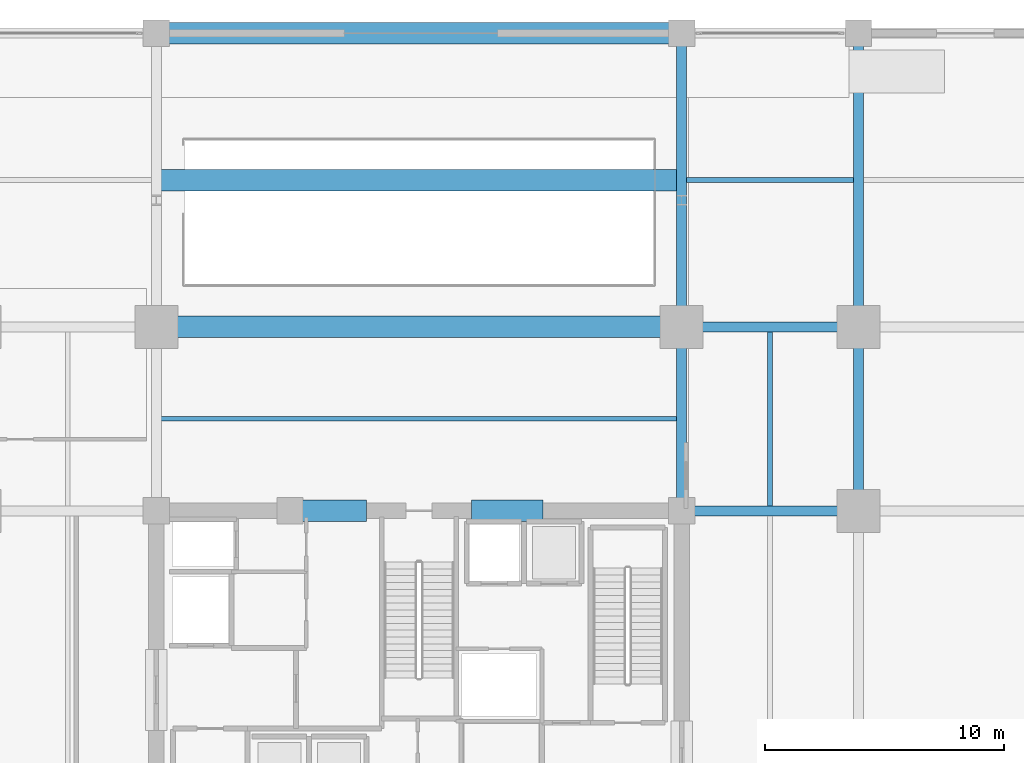
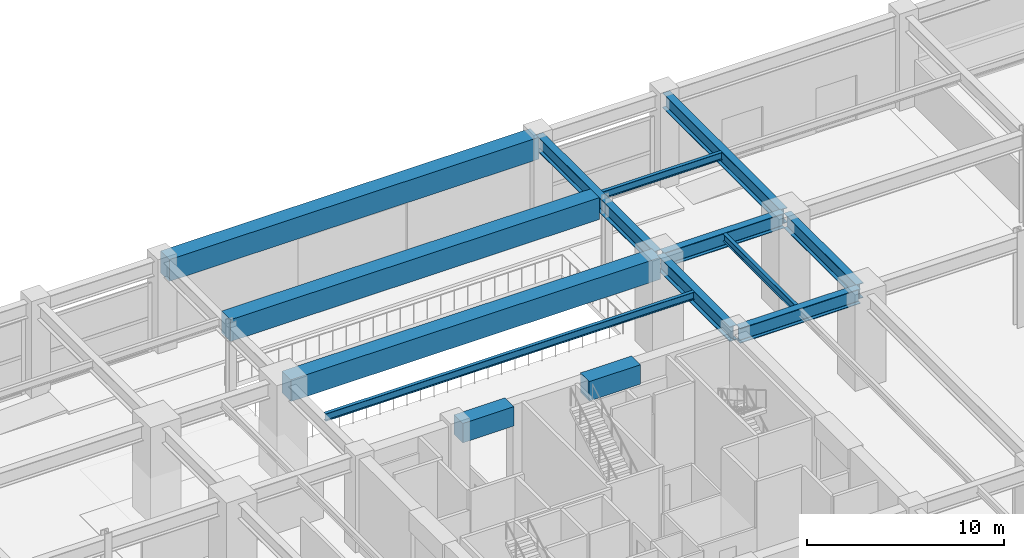
# One storey, part 18 of 41: 14 beams.
"""IFC4 building model written with IfcOpenShell, lengths in metres."""

from ifc_helpers import new_model, si_unit, direction, frame, origin, origin_2d, place, context, subcontext, project, spatial, rectangle, i_section, extrude, material, material_profile, profile_set, type_object, element, save


model = new_model("IFC4")

# Units and contexts
model_context = context("Model", 3, precision=1e-05, world=origin(), true_north=direction((0.0, 1.0)))
body_context = subcontext(model_context, "Body", "Model", "MODEL_VIEW")
ifc_project = project(units=[si_unit("LENGTHUNIT", "METRE"), si_unit("AREAUNIT", "SQUARE_METRE"), si_unit("VOLUMEUNIT", "CUBIC_METRE"), si_unit("PLANEANGLEUNIT", "RADIAN"), si_unit("MASSUNIT", "GRAM", prefix="KILO")], contexts=[model_context])

# Site, building, storey
site_placement = place(None, origin())
site = spatial("IfcSite", under=ifc_project, at=site_placement, CompositionType="ELEMENT")
building_placement = place(site_placement, origin())
building = spatial("IfcBuilding", under=site, at=building_placement, Name="Kovane Verandah Tower", CompositionType="ELEMENT")
storey_placement = place(building_placement, origin())
storey = spatial("IfcBuildingStorey", under=building, at=storey_placement, Name="L00", CompositionType="ELEMENT", Elevation=0.0)

# Beams
ifc_material_1 = material(Name="Concrete C80/95", Category="concrete")
ifc_material_profile_1 = material_profile(ifc_material_1, rectangle(XDim=0.89990234375, YDim=1.199951171875, at=origin_2d()), Name="RCB900x1200")
ifc_profile_set_1 = profile_set([ifc_material_profile_1], Name="Concrete C80/95")
beam_type_1 = type_object("IfcBeamType", Name="BM-LINTEL-900x1200", PredefinedType="LINTEL", material=ifc_profile_set_1)
for number, where, z_axis, x_axis, name in (
    (1, (34.800048828125, 36.5, 5.1201171875), (1.0, 0.0, 0.0), (0.0, 1.0, 0.0), "L00 Core Coupling Lintel CL-N1"),
    (2, (42.199951171875, 36.5, 5.1201171875), (1.0, 0.0, 0.0), (0.0, 1.0, 0.0), "L00 Core Coupling Lintel CL-N2"),
):
    element("IfcBeam", number, at=place(storey_placement, frame(where, z_axis=z_axis, x_axis=x_axis)), inside=storey, type_object=beam_type_1, Name=name, PredefinedType="LINTEL", context=body_context, shape_type="SweptSolid", body=[
        extrude(rectangle(XDim=0.89990234375, YDim=1.199951171875, at=origin_2d()), origin(), (0.0, 0.0, 1.0), 3.0),
    ])
ifc_material_profile_2 = material_profile(ifc_material_1, rectangle(XDim=0.89990234375, YDim=1.35009765625, at=origin_2d()), Name="RCB900x1350")
ifc_profile_set_2 = profile_set([ifc_material_profile_2], Name="Concrete C80/95")
beam_type_2 = type_object("IfcBeamType", Name="BM-TR-900x1350", PredefinedType="BEAM", material=ifc_profile_set_2)
for number, where, z_axis, x_axis, name in (
    (3, (29.179931640625, 44.199951171875, 5.044921875), (1.0, 0.0, 0.0), (0.0, 1.0, 0.0), "L00 Primary Tower Girder G-RN2"),
    (4, (29.179931640625, 56.5, 5.02490234375), (1.0, 0.0, 0.0), (0.0, 1.0, 0.0), "L00 Podium Grid Girder X27"),
):
    element("IfcBeam", number, at=place(storey_placement, frame(where, z_axis=z_axis, x_axis=x_axis)), inside=storey, type_object=beam_type_2, Name=name, PredefinedType="BEAM", context=body_context, shape_type="SweptSolid", body=[
        extrude(rectangle(XDim=0.89990234375, YDim=1.35009765625, at=origin_2d()), origin(), (0.0, 0.0, 1.0), 21.64013671875),
    ])
beam_1_placement = place(storey_placement, frame((29.208251953125, 50.35009765625, 5.02490234375), z_axis=(1.0, 0.0, 0.0), x_axis=(0.0, 1.0, 0.0)))
element("IfcBeam", 5, at=beam_1_placement, inside=storey, type_object=beam_type_2, Name="L00 Podium Secondary Joist 11", PredefinedType="BEAM", context=body_context, shape_type="SweptSolid", body=[
    extrude(rectangle(XDim=0.89990234375, YDim=1.35009765625, at=origin_2d()), origin(), (0.0, 0.0, 1.0), 21.58349609375),
])
ifc_material_2 = material(Name="Steel S460", Category="steel")
ifc_material_profile_3 = material_profile(ifc_material_2, i_section(OverallWidth=0.42041015625, OverallDepth=0.9208984375, WebThickness=0.021484375, FlangeThickness=0.03662109375, FilletRadius=0.024169921875, at=origin_2d()), Name="UB914x419x388")
ifc_profile_set_3 = profile_set([ifc_material_profile_3], Name="Steel S460")
beam_type_3 = type_object("IfcBeamType", Name="BM-UB914x388", PredefinedType="BEAM", material=ifc_profile_set_3)
beam_2_placement = place(storey_placement, frame((51.179931640625, 44.199951171875, 5.259521484375), z_axis=(1.0, 0.0, 0.0), x_axis=(0.0, 1.0, 0.0)))
element("IfcBeam", 6, at=beam_2_placement, inside=storey, type_object=beam_type_3, Name="L00 Primary Tower Girder G-RN3", PredefinedType="BEAM", context=body_context, shape_type="SweptSolid", body=[
    extrude(i_section(OverallWidth=0.42041015625, OverallDepth=0.9208984375, WebThickness=0.021484375, FlangeThickness=0.03662109375, FilletRadius=0.024169921875, at=origin_2d()), origin(), (0.0, 0.0, 1.0), 7.0400390625),
])
beam_3_placement = place(storey_placement, frame((58.39990234375, 36.679931640625, 5.259521484375), z_axis=(0.0, 1.0, 0.0), x_axis=(-1.0, 0.0, 0.0)))
element("IfcBeam", 7, at=beam_3_placement, inside=storey, type_object=beam_type_3, Name="L00 Primary Tower Girder G-RE3", PredefinedType="BEAM", context=body_context, shape_type="SweptSolid", body=[
    extrude(i_section(OverallWidth=0.42041015625, OverallDepth=0.9208984375, WebThickness=0.021484375, FlangeThickness=0.03662109375, FilletRadius=0.024169921875, at=origin_2d()), origin(), (0.0, 0.0, 1.0), 7.340087890625),
])
beam_4_placement = place(storey_placement, frame((51.179931640625, 36.5, 5.259521484375), z_axis=(1.0, 0.0, 0.0), x_axis=(0.0, 1.0, 0.0)))
element("IfcBeam", 8, at=beam_4_placement, inside=storey, type_object=beam_type_3, Name="L00 Primary Tower Girder G-E2", PredefinedType="BEAM", context=body_context, shape_type="SweptSolid", body=[
    extrude(i_section(OverallWidth=0.42041015625, OverallDepth=0.9208984375, WebThickness=0.021484375, FlangeThickness=0.03662109375, FilletRadius=0.024169921875, at=origin_2d()), origin(), (0.0, 0.0, 1.0), 7.0400390625),
])
beam_5_placement = place(storey_placement, frame((51.0, 36.679931640625, 5.259521484375), z_axis=(0.0, 1.0, 0.0), x_axis=(-1.0, 0.0, 0.0)))
element("IfcBeam", 9, at=beam_5_placement, inside=storey, type_object=beam_type_3, Name="L00 Primary Tower Girder G-N2", PredefinedType="BEAM", context=body_context, shape_type="SweptSolid", body=[
    extrude(i_section(OverallWidth=0.42041015625, OverallDepth=0.9208984375, WebThickness=0.021484375, FlangeThickness=0.03662109375, FilletRadius=0.024169921875, at=origin_2d()), origin(), (0.0, 0.0, 1.0), 7.340087890625),
])
for number, where, z_axis, x_axis, name in (
    (10, (51.0, 44.3798828125, 5.239501953125), (0.0, 1.0, 0.0), (-1.0, 0.0, 0.0), "L00 Podium Grid Girder Y46"),
    (11, (58.39990234375, 44.3798828125, 5.239501953125), (0.0, 1.0, 0.0), (-1.0, 0.0, 0.0), "L00 Podium Grid Girder Y48"),
):
    element("IfcBeam", number, at=place(storey_placement, frame(where, z_axis=z_axis, x_axis=x_axis)), inside=storey, type_object=beam_type_3, Name=name, PredefinedType="BEAM", context=body_context, shape_type="SweptSolid", body=[
        extrude(i_section(OverallWidth=0.42041015625, OverallDepth=0.9208984375, WebThickness=0.021484375, FlangeThickness=0.03662109375, FilletRadius=0.024169921875, at=origin_2d()), origin(), (0.0, 0.0, 1.0), 11.940185546875),
    ])
ifc_material_3 = material(Name="Steel S355", Category="steel")
ifc_material_profile_4 = material_profile(ifc_material_3, i_section(OverallWidth=0.19287109375, OverallDepth=0.46728515625, WebThickness=0.011474609375, FlangeThickness=0.01953125, FilletRadius=0.01025390625, at=origin_2d()), Name="UB457x191x98")
ifc_profile_set_4 = profile_set([ifc_material_profile_4], Name="Steel S355")
beam_type_4 = type_object("IfcBeamType", Name="JST-UB457x98", PredefinedType="JOIST", material=ifc_profile_set_4)
beam_6_placement = place(storey_placement, frame((29.208251953125, 40.35009765625, 5.486328125), z_axis=(1.0, 0.0, 0.0), x_axis=(0.0, 1.0, 0.0)))
element("IfcBeam", 12, at=beam_6_placement, inside=storey, type_object=beam_type_4, Name="L00 Secondary Composite Joist J-N1", PredefinedType="JOIST", context=body_context, shape_type="SweptSolid", body=[
    extrude(i_section(OverallWidth=0.19287109375, OverallDepth=0.46728515625, WebThickness=0.011474609375, FlangeThickness=0.01953125, FilletRadius=0.01025390625, at=origin_2d()), origin(), (0.0, 0.0, 1.0), 21.58349609375),
])
beam_7_placement = place(storey_placement, frame((54.699951171875, 36.708251953125, 5.486328125), z_axis=(0.0, 1.0, 0.0), x_axis=(-1.0, 0.0, 0.0)))
element("IfcBeam", 13, at=beam_7_placement, inside=storey, type_object=beam_type_4, Name="L00 Secondary Composite Joist J-NE1", PredefinedType="JOIST", context=body_context, shape_type="SweptSolid", body=[
    extrude(i_section(OverallWidth=0.19287109375, OverallDepth=0.46728515625, WebThickness=0.011474609375, FlangeThickness=0.01953125, FilletRadius=0.01025390625, at=origin_2d()), origin(), (0.0, 0.0, 1.0), 7.283447265625),
])
beam_8_placement = place(storey_placement, frame((51.208251953125, 50.35009765625, 5.46630859375), z_axis=(1.0, 0.0, 0.0), x_axis=(0.0, 1.0, 0.0)))
element("IfcBeam", 14, at=beam_8_placement, inside=storey, type_object=beam_type_4, Name="L00 Podium Secondary Joist 12", PredefinedType="JOIST", context=body_context, shape_type="SweptSolid", body=[
    extrude(i_section(OverallWidth=0.19287109375, OverallDepth=0.46728515625, WebThickness=0.011474609375, FlangeThickness=0.01953125, FilletRadius=0.01025390625, at=origin_2d()), origin(), (0.0, 0.0, 1.0), 6.983642578125),
])

save(model, "model.ifc")
